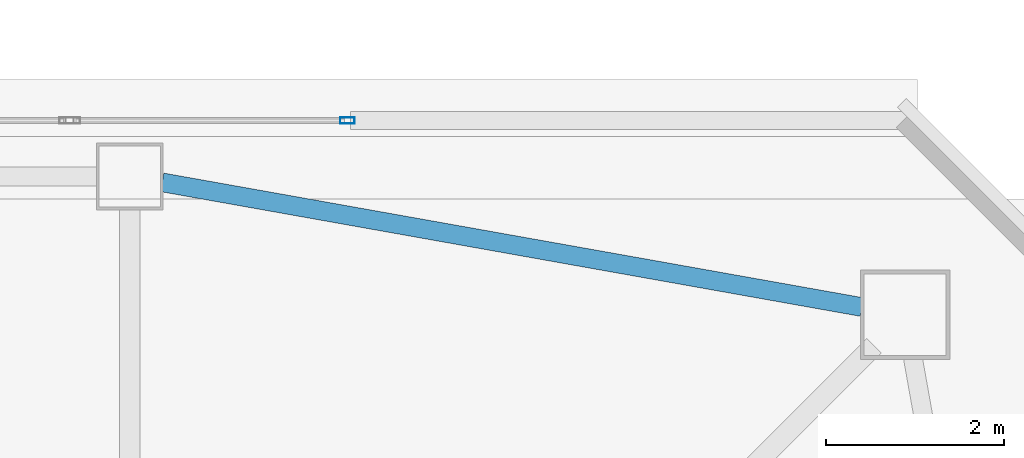
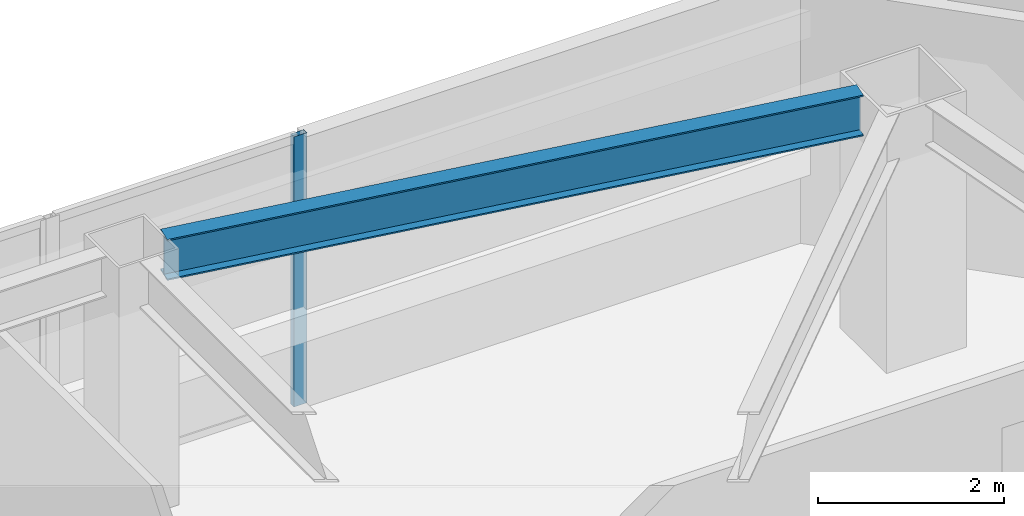
# One storey, part 15 of 40: 1 beam, 1 member, 1 element without a shape of its own.
"""IFC4 building model written with IfcOpenShell, lengths in metres."""

from ifc_helpers import new_model, si_unit, direction, frame, origin, origin_2d, place, context, subcontext, project, spatial, hollow_rectangle, i_section, extrude, material, material_profile, profile_set, type_object, element, aggregate, save


model = new_model("IFC4")

# Units and contexts
model_context = context("Model", 3, precision=1e-05, world=origin(), true_north=direction((0.0, 1.0)))
body_context = subcontext(model_context, "Body", "Model", "MODEL_VIEW")
ifc_project = project(units=[si_unit("LENGTHUNIT", "METRE"), si_unit("AREAUNIT", "SQUARE_METRE"), si_unit("VOLUMEUNIT", "CUBIC_METRE"), si_unit("PLANEANGLEUNIT", "RADIAN"), si_unit("MASSUNIT", "GRAM", prefix="KILO")], contexts=[model_context])

# Site, building, storey
site_placement = place(None, origin())
site = spatial("IfcSite", under=ifc_project, at=site_placement, CompositionType="ELEMENT")
building_placement = place(site_placement, origin())
building = spatial("IfcBuilding", under=site, at=building_placement, Name="Tashvorn Skyway Center", CompositionType="ELEMENT")
storey_placement = place(building_placement, frame((0.0, 0.0, 221.949951171875)))
storey = spatial("IfcBuildingStorey", under=building, at=storey_placement, Name="L60", CompositionType="ELEMENT", Elevation=221.949951171875)

# Beam
ifc_material_1 = material(Name="Steel ASTM A992 Grade 50", Category="steel")
ifc_material_profile_1 = material_profile(ifc_material_1, i_section(OverallWidth=0.2109375, OverallDepth=0.5390625, WebThickness=0.01171875, FlangeThickness=0.018798828125, at=origin_2d()), Name="W21X73")
ifc_profile_set_1 = profile_set([ifc_material_profile_1], Name="Steel ASTM A992 Grade 50")
beam_type = type_object("IfcBeamType", Name="BM-SPANDREL-W21X73", PredefinedType="SPANDREL", material=ifc_profile_set_1)
beam_placement = place(storey_placement, frame((55.61279296875, 46.186767578125, 3.1005859375), z_axis=(-0.984494883191, 0.17541329759, 0.0), x_axis=(-0.17541329759, -0.984494883191, 0.0)))
element("IfcBeam", 1, at=beam_placement, inside=storey, type_object=beam_type, Name="Tower 1 L60 Spandrel Beam 07", PredefinedType="SPANDREL", context=body_context, shape_type="SweptSolid", body=[
    extrude(i_section(OverallWidth=0.2109375, OverallDepth=0.5390625, WebThickness=0.01171875, FlangeThickness=0.018798828125, at=origin_2d()), origin(), (0.0, 0.0, 1.0), 7.97216796875),
])

# Curtain wall, member
ifc_material_2 = material(Name="Thermally broken bronze-anodized aluminium 6063-T6", Category="aluminium")
curtain_wall_type = type_object("IfcCurtainWallType", Name="CW-CW-Z5", PredefinedType="NOTDEFINED", material=ifc_material_2)
curtain_wall_placement = place(storey_placement, origin())
curtain_wall = element("IfcCurtainWall", 2, at=curtain_wall_placement, inside=storey, type_object=curtain_wall_type, Name="Tower 1 L60 North Unitised Curtain Wall Glazing Group 3", PredefinedType="NOTDEFINED")
ifc_material_profile_2 = material_profile(ifc_material_2, hollow_rectangle(XDim=0.070068359375, YDim=0.1650390625, WallThickness=0.00390625, at=origin_2d()), Name="ALU-MULL-70x165")
ifc_profile_set_2 = profile_set([ifc_material_profile_2], Name="Thermally broken bronze-anodized aluminium 6063-T6")
member_type = type_object("IfcMemberType", Name="CWM-CW-Z5", PredefinedType="MULLION", material=ifc_profile_set_2)
member_placement = place(storey_placement, frame((49.8427734375, 48.280029296875, 0.0), z_axis=(0.0, 0.0, 1.0), x_axis=(0.0, 1.0, 0.0)))
member = element("IfcMember", 3, at=member_placement, type_object=member_type, Name="CW-Z5 mullion 2", PredefinedType="MULLION", context=body_context, shape_type="SweptSolid", body=[
    extrude(hollow_rectangle(XDim=0.070068359375, YDim=0.1650390625, WallThickness=0.00390625, at=origin_2d()), origin(), (0.0, 0.0, 1.0), 3.550048828125),
])
aggregate(curtain_wall, [member])

save(model, "model.ifc")
